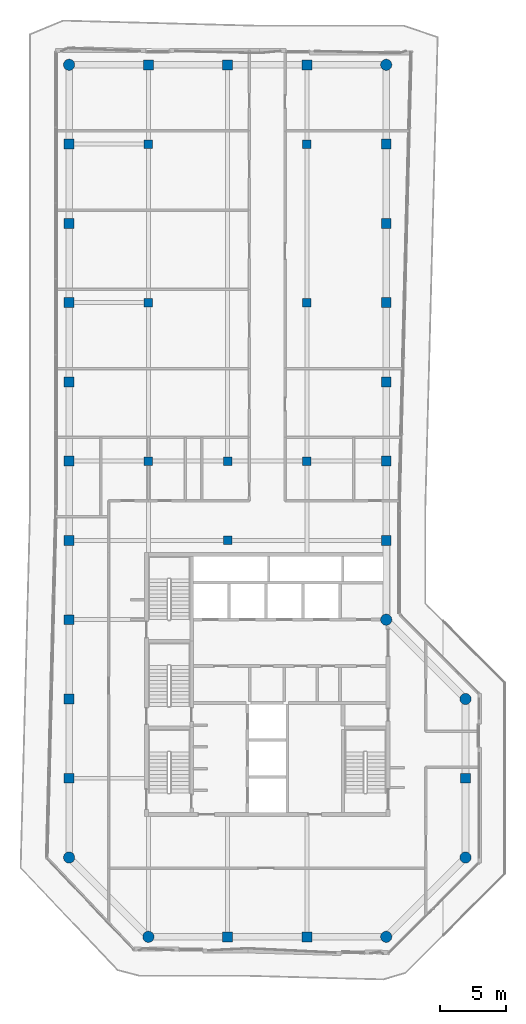
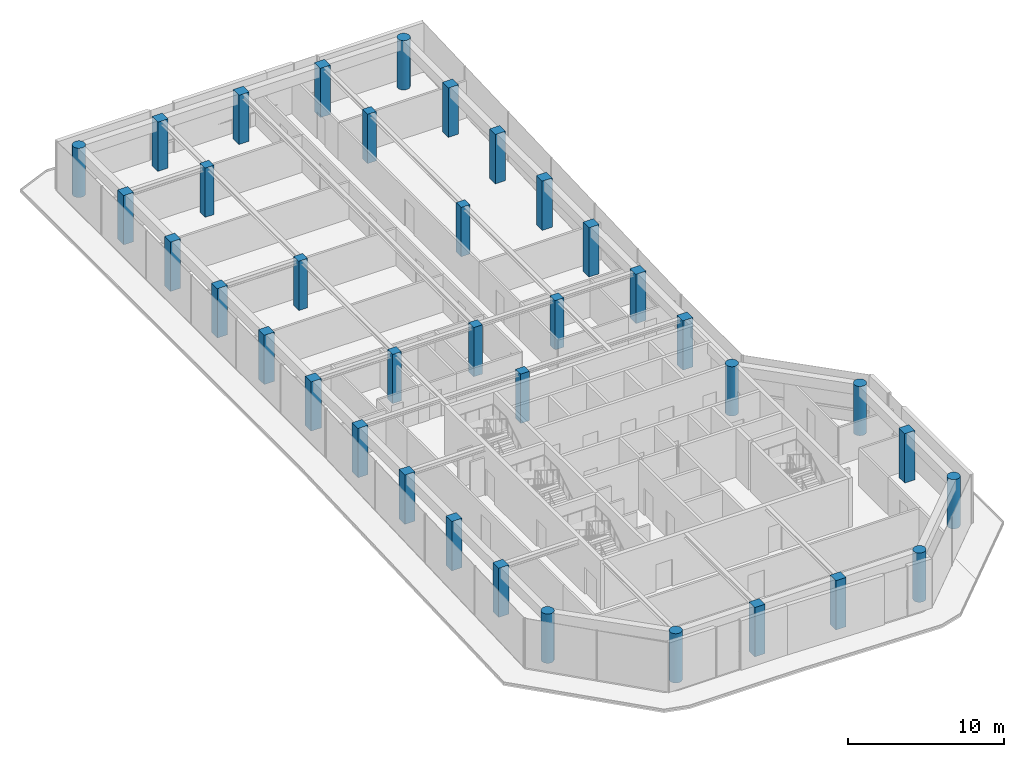
# One storey, part 1 of 18: 37 columns.
"""IFC4 building model written with IfcOpenShell, lengths in metres."""

from ifc_helpers import new_model, si_unit, direction, frame, origin, origin_2d, place, context, subcontext, project, spatial, rectangle, circle, extrude, material, material_profile, profile_set, type_object, element, save


model = new_model("IFC4")

# Units and contexts
model_context = context("Model", 3, precision=1e-05, world=origin(), true_north=direction((0.0, 1.0)))
body_context = subcontext(model_context, "Body", "Model", "MODEL_VIEW")
ifc_project = project(units=[si_unit("LENGTHUNIT", "METRE"), si_unit("AREAUNIT", "SQUARE_METRE"), si_unit("VOLUMEUNIT", "CUBIC_METRE"), si_unit("PLANEANGLEUNIT", "RADIAN"), si_unit("MASSUNIT", "GRAM", prefix="KILO")], contexts=[model_context])

# Site, building, storey
site_placement = place(None, origin())
site = spatial("IfcSite", under=ifc_project, at=site_placement, CompositionType="ELEMENT")
building_placement = place(site_placement, origin())
building = spatial("IfcBuilding", under=site, at=building_placement, Name="Welwitschia Terrace Campus", CompositionType="ELEMENT")
storey_placement = place(building_placement, frame((0.0, 0.0, 281.0)))
storey = spatial("IfcBuildingStorey", under=building, at=storey_placement, Name="L62", CompositionType="ELEMENT", Elevation=281.0)

# Columns
ifc_material_1 = material(Name="Concrete C50/60", Category="concrete")
ifc_material_profile_1 = material_profile(ifc_material_1, circle(Radius=0.425048828125, at=origin_2d()))
ifc_profile_set_1 = profile_set([ifc_material_profile_1], Name="Concrete C50/60")
column_type_1 = type_object("IfcColumnType", Name="Corner column 850 dia", PredefinedType="COLUMN", material=ifc_profile_set_1)
for number, where, z_axis, x_axis, name in (
    (1, (0.0, 2.0, 0.0), (0.0, 0.0, 1.0), (1.0, 0.0, 0.0), "Column C41"),
    (2, (0.0, 62.0, 0.0), (0.0, 0.0, 1.0), (1.0, 0.0, 0.0), "Column C41"),
    (3, (6.0, -4.0, 0.0), (0.0, 0.0, 1.0), (1.0, 0.0, 0.0), "Column C41"),
    (4, (24.0, -4.0, 0.0), (0.0, 0.0, 1.0), (1.0, 0.0, 0.0), "Column C41"),
    (5, (24.0, 20.0, 0.0), (0.0, 0.0, 1.0), (1.0, 0.0, 0.0), "Column C41"),
    (6, (24.0, 62.0, 0.0), (0.0, 0.0, 1.0), (1.0, 0.0, 0.0), "Column C41"),
    (7, (30.0, 2.0, 0.0), (0.0, 0.0, 1.0), (1.0, 0.0, 0.0), "Column C41"),
    (8, (30.0, 14.0, 0.0), (0.0, 0.0, 1.0), (1.0, 0.0, 0.0), "Column C41"),
):
    element("IfcColumn", number, at=place(storey_placement, frame(where, z_axis=z_axis, x_axis=x_axis)), inside=storey, type_object=column_type_1, Name=name, PredefinedType="COLUMN", context=body_context, shape_type="SweptSolid", body=[
        extrude(circle(Radius=0.425048828125, at=origin_2d()), origin(), (0.0, 0.0, 1.0), 3.85009765625),
    ])
ifc_material_2 = material(Name="Concrete C50/60", Category="concrete")
ifc_material_profile_2 = material_profile(ifc_material_2, rectangle(XDim=0.64990234375, YDim=0.64990234375, at=origin_2d()))
ifc_profile_set_2 = profile_set([ifc_material_profile_2], Name="Concrete C50/60")
column_type_2 = type_object("IfcColumnType", Name="Interior column 650x650", PredefinedType="COLUMN", material=ifc_profile_set_2)
for number, where, z_axis, x_axis, name in (
    (9, (6.0, 32.0, 0.0), (0.0, 0.0, 1.0), (1.0, 0.0, 0.0), "Column C43"),
    (10, (6.0, 44.0, 0.0), (0.0, 0.0, 1.0), (1.0, 0.0, 0.0), "Column C43"),
    (11, (6.0, 56.0, 0.0), (0.0, 0.0, 1.0), (1.0, 0.0, 0.0), "Column C43"),
    (12, (12.0, 26.0, 0.0), (0.0, 0.0, 1.0), (1.0, 0.0, 0.0), "Column C43"),
    (13, (12.0, 32.0, 0.0), (0.0, 0.0, 1.0), (1.0, 0.0, 0.0), "Column C43"),
    (14, (18.0, 32.0, 0.0), (0.0, 0.0, 1.0), (1.0, 0.0, 0.0), "Column C43"),
    (15, (18.0, 44.0, 0.0), (0.0, 0.0, 1.0), (1.0, 0.0, 0.0), "Column C43"),
    (16, (18.0, 56.0, 0.0), (0.0, 0.0, 1.0), (1.0, 0.0, 0.0), "Column C43"),
):
    element("IfcColumn", number, at=place(storey_placement, frame(where, z_axis=z_axis, x_axis=x_axis)), inside=storey, type_object=column_type_2, Name=name, PredefinedType="COLUMN", context=body_context, shape_type="SweptSolid", body=[
        extrude(rectangle(XDim=0.64990234375, YDim=0.64990234375, at=origin_2d()), origin(), (0.0, 0.0, 1.0), 3.85009765625),
    ])
ifc_material_3 = material(Name="Concrete C50/60", Category="concrete")
ifc_material_profile_3 = material_profile(ifc_material_3, rectangle(XDim=0.75, YDim=0.75, at=origin_2d()))
ifc_profile_set_3 = profile_set([ifc_material_profile_3], Name="Concrete C50/60")
column_type_3 = type_object("IfcColumnType", Name="Ring column 750x750", PredefinedType="COLUMN", material=ifc_profile_set_3)
for number, where, z_axis, x_axis, name in (
    (17, (0.0, 8.0, 0.0), (0.0, 0.0, 1.0), (1.0, 0.0, 0.0), "Column C42"),
    (18, (0.0, 14.0, 0.0), (0.0, 0.0, 1.0), (1.0, 0.0, 0.0), "Column C42"),
    (19, (0.0, 20.0, 0.0), (0.0, 0.0, 1.0), (1.0, 0.0, 0.0), "Column C42"),
    (20, (0.0, 26.0, 0.0), (0.0, 0.0, 1.0), (1.0, 0.0, 0.0), "Column C42"),
    (21, (0.0, 32.0, 0.0), (0.0, 0.0, 1.0), (1.0, 0.0, 0.0), "Column C42"),
    (22, (0.0, 38.0, 0.0), (0.0, 0.0, 1.0), (1.0, 0.0, 0.0), "Column C42"),
    (23, (0.0, 44.0, 0.0), (0.0, 0.0, 1.0), (1.0, 0.0, 0.0), "Column C42"),
    (24, (0.0, 50.0, 0.0), (0.0, 0.0, 1.0), (1.0, 0.0, 0.0), "Column C42"),
    (25, (0.0, 56.0, 0.0), (0.0, 0.0, 1.0), (1.0, 0.0, 0.0), "Column C42"),
    (26, (6.0, 62.0, 0.0), (0.0, 0.0, 1.0), (1.0, 0.0, 0.0), "Column C42"),
    (27, (12.0, -4.0, 0.0), (0.0, 0.0, 1.0), (1.0, 0.0, 0.0), "Column C42"),
    (28, (12.0, 62.0, 0.0), (0.0, 0.0, 1.0), (1.0, 0.0, 0.0), "Column C42"),
    (29, (18.0, -4.0, 0.0), (0.0, 0.0, 1.0), (1.0, 0.0, 0.0), "Column C42"),
    (30, (18.0, 62.0, 0.0), (0.0, 0.0, 1.0), (1.0, 0.0, 0.0), "Column C42"),
    (31, (24.0, 26.0, 0.0), (0.0, 0.0, 1.0), (1.0, 0.0, 0.0), "Column C42"),
    (32, (24.0, 32.0, 0.0), (0.0, 0.0, 1.0), (1.0, 0.0, 0.0), "Column C42"),
    (33, (24.0, 38.0, 0.0), (0.0, 0.0, 1.0), (1.0, 0.0, 0.0), "Column C42"),
    (34, (24.0, 44.0, 0.0), (0.0, 0.0, 1.0), (1.0, 0.0, 0.0), "Column C42"),
    (35, (24.0, 50.0, 0.0), (0.0, 0.0, 1.0), (1.0, 0.0, 0.0), "Column C42"),
    (36, (24.0, 56.0, 0.0), (0.0, 0.0, 1.0), (1.0, 0.0, 0.0), "Column C42"),
    (37, (30.0, 8.0, 0.0), (0.0, 0.0, 1.0), (1.0, 0.0, 0.0), "Column C42"),
):
    element("IfcColumn", number, at=place(storey_placement, frame(where, z_axis=z_axis, x_axis=x_axis)), inside=storey, type_object=column_type_3, Name=name, PredefinedType="COLUMN", context=body_context, shape_type="SweptSolid", body=[
        extrude(rectangle(XDim=0.75, YDim=0.75, at=origin_2d()), origin(), (0.0, 0.0, 1.0), 3.85009765625),
    ])

save(model, "model.ifc")
